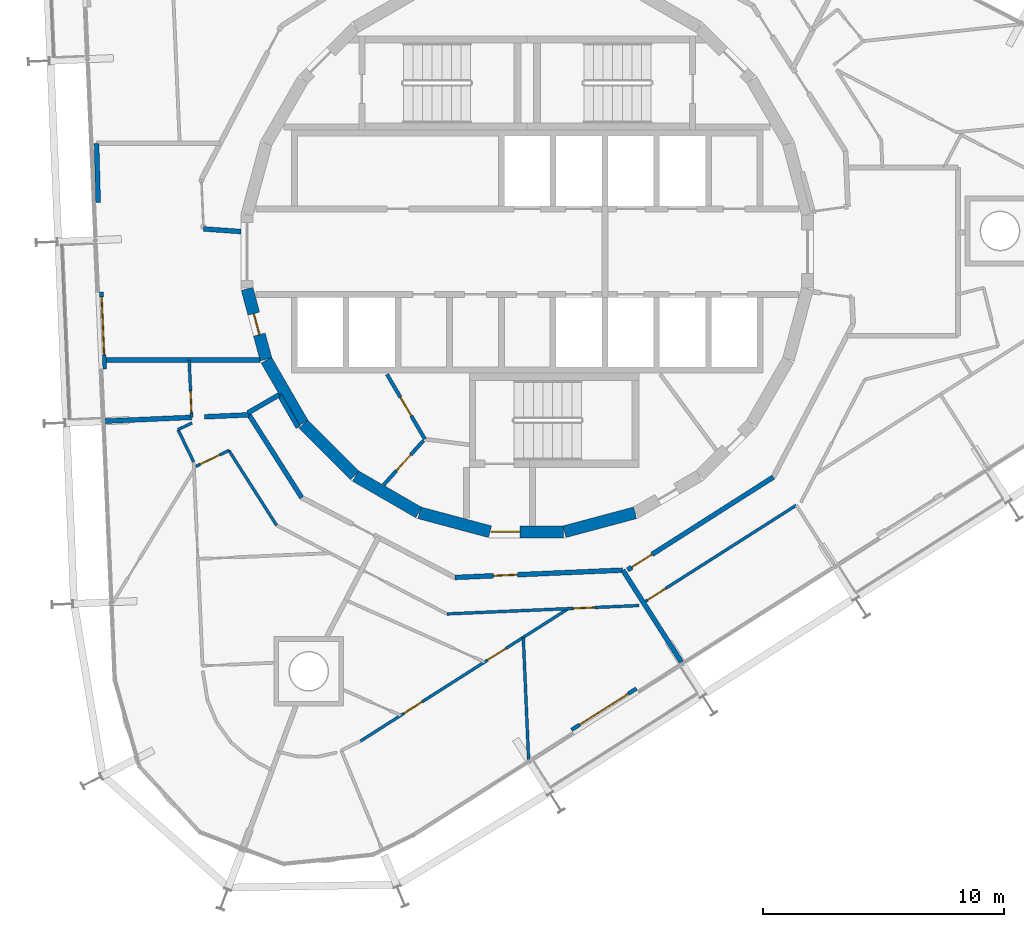
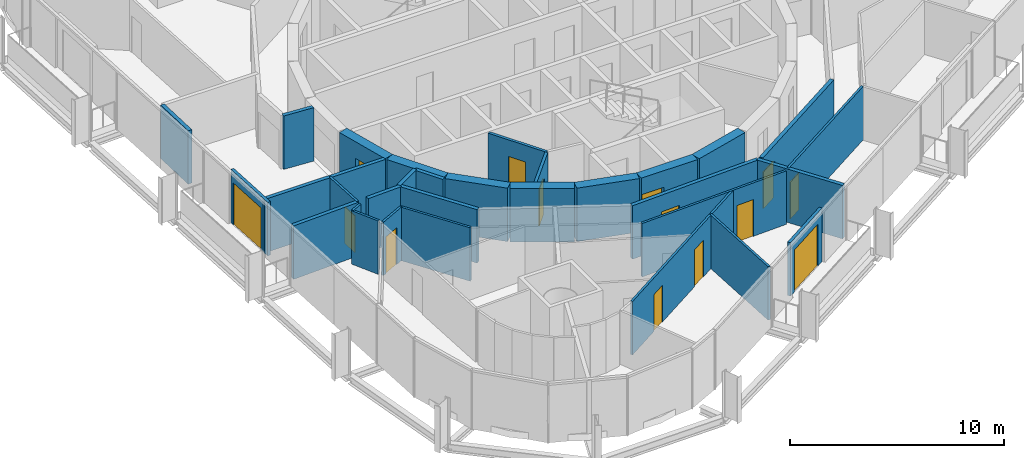
# One storey, part 12 of 18: 31 walls, 14 doors, 14 openings.
"""IFC4 building model written with IfcOpenShell, lengths in metres."""

from ifc_helpers import new_model, si_unit, direction, frame, frame_2d, origin, place, context, subcontext, project, spatial, rectangle, extrude, material, layer, layer_set, type_object, element, fill, save


model = new_model("IFC4")

# Units and contexts
model_context = context("Model", 3, precision=1e-05, world=origin(), true_north=direction((0.0, 1.0)))
body_context = subcontext(model_context, "Body", "Model", "MODEL_VIEW")
ifc_project = project(units=[si_unit("LENGTHUNIT", "METRE"), si_unit("AREAUNIT", "SQUARE_METRE"), si_unit("VOLUMEUNIT", "CUBIC_METRE"), si_unit("PLANEANGLEUNIT", "RADIAN"), si_unit("MASSUNIT", "GRAM", prefix="KILO")], contexts=[model_context])

# Site, building, storey
site_placement = place(None, origin())
site = spatial("IfcSite", under=ifc_project, at=site_placement, CompositionType="ELEMENT")
building_placement = place(site_placement, origin())
building = spatial("IfcBuilding", under=site, at=building_placement, Name="Spindle Arch Residences", CompositionType="ELEMENT")
storey_placement = place(building_placement, frame((0.0, 0.0, 254.699951171875)))
storey = spatial("IfcBuildingStorey", under=building, at=storey_placement, Name="L65", CompositionType="ELEMENT", Elevation=254.699951171875)

# Wall
ifc_material_1 = material(Name="Concrete C50/60", Category="concrete")
ifc_layer_1 = layer(ifc_material_1, 0.5)
ifc_layer_set_1 = layer_set([ifc_layer_1], Name="Core outline wall 500")
wall_type_1 = type_object("IfcWallType", Name="Core outline wall 500", PredefinedType="SHEAR", material=ifc_layer_set_1)
wall_1_placement = place(storey_placement, frame((1.5498046875, -11.642822265625, 0.0), z_axis=(0.0, 0.0, 1.0), x_axis=(0.965948410781, 0.258734743916, 0.0)))
element("IfcWall", 1, at=wall_1_placement, inside=storey, type_object=wall_type_1, Name="Core outline wall 1", PredefinedType="SHEAR", context=body_context, shape_type="SweptSolid", body=[
    extrude(rectangle(XDim=3.03271484375, YDim=0.5, at=frame_2d((1.516357421875, 0.0))), origin(), (0.0, 0.0, 1.0), 3.050048828125),
])

# Wall, opening, door
wall_2_placement = place(storey_placement, frame((-11.642822265625, -1.5498046875, 0.0), z_axis=(0.0, 0.0, 1.0), x_axis=(0.258734743916, -0.965948410781, 0.0)))
wall_2 = element("IfcWall", 2, at=wall_2_placement, inside=storey, type_object=wall_type_1, Name="Core outline wall 19", PredefinedType="SHEAR", context=body_context, shape_type="SweptSolid", body=[
    extrude(rectangle(XDim=3.03271484375, YDim=0.5, at=frame_2d((1.516357421875, 0.0))), origin(), (0.0, 0.0, 1.0), 3.050048828125),
])
opening_1_placement = place(wall_2_placement, frame((1.06640625, 0.0, 0.0)))
opening_1 = element("IfcOpeningElement", 3, at=opening_1_placement, cuts=wall_2, Name="Opening R6C0-WD10", PredefinedType="OPENING", context=body_context, shape_type="SweptSolid", body=[
    extrude(rectangle(XDim=0.89990234375, YDim=2.10009765625, at=frame_2d((0.449951171875, 1.050048828125))), frame((0.0, 0.260009765625, 0.0), z_axis=(0.0, -1.0, 0.0), x_axis=(1.0, 0.0, 0.0)), (0.0, 0.0, 1.0), 0.52001953125),
])
ifc_material_2 = material(Name="Steel, fire-resisting door", Category="steel")
door_type_1 = type_object("IfcDoorType", Name="Service room door 900x2100", OperationType="SINGLE_SWING_LEFT", PredefinedType="DOOR", material=ifc_material_2)
door_1_placement = place(opening_1_placement, origin())
door_1 = element("IfcDoor", 4, at=door_1_placement, inside=storey, type_object=door_type_1, Name="Service room door R6C0-WD10", OperationType="SINGLE_SWING_RIGHT", OverallHeight=2.10009765625, OverallWidth=0.89990234375, PredefinedType="DOOR", context=body_context, shape_type="SweptSolid", body=[
    extrude(rectangle(XDim=0.89990234375, YDim=2.10009765625, at=frame_2d((0.449951171875, 1.050048828125))), frame((0.0, 0.02490234375, 0.0), z_axis=(0.0, -1.0, 0.0), x_axis=(1.0, 0.0, 0.0)), (0.0, 0.0, 1.0), 0.050048828125),
])
fill(opening_1, door_1)

# Walls
wall_3_placement = place(storey_placement, frame((-10.84521484375, -4.510498046875, 0.0), z_axis=(0.0, 0.0, 1.0), x_axis=(0.500087131594, -0.865975092491, 0.0)))
element("IfcWall", 5, at=wall_3_placement, inside=storey, type_object=wall_type_1, Name="Core outline wall 20", PredefinedType="SHEAR", context=body_context, shape_type="SweptSolid", body=[
    extrude(rectangle(XDim=3.03271484375, YDim=0.5, at=frame_2d((1.516357421875, 0.0))), origin(), (0.0, 0.0, 1.0), 3.050048828125),
])
wall_4_placement = place(storey_placement, frame((-9.30810546875, -7.163818359375, 0.0), z_axis=(0.0, 0.0, 1.0), x_axis=(0.707106781187, -0.707106781187, 0.0)))
element("IfcWall", 6, at=wall_4_placement, inside=storey, type_object=wall_type_1, Name="Core outline wall 21", PredefinedType="SHEAR", context=body_context, shape_type="SweptSolid", body=[
    extrude(rectangle(XDim=3.032470703125, YDim=0.5, at=frame_2d((1.51611328125, 0.0))), origin(), (0.0, 0.0, 1.0), 3.050048828125),
])
for number, where, z_axis, x_axis, name in (
    (7, (-7.13671875, -9.32861328125, 0.0), (0.0, 0.0, 1.0), (0.865975092491, -0.500087131594, 0.0), "Core outline wall 22"),
    (8, (-4.479248046875, -10.858154296875, 0.0), (0.0, 0.0, 1.0), (0.965948410781, -0.258734743916, 0.0), "Core outline wall 23"),
):
    element("IfcWall", number, at=place(storey_placement, frame(where, z_axis=z_axis, x_axis=x_axis)), inside=storey, type_object=wall_type_1, Name=name, PredefinedType="SHEAR", context=body_context, shape_type="SweptSolid", body=[
        extrude(rectangle(XDim=3.03271484375, YDim=0.5, at=frame_2d((1.516357421875, 0.0))), origin(), (0.0, 0.0, 1.0), 3.050048828125),
    ])

# Wall, opening, door
wall_5_placement = place(storey_placement, frame((-1.516357421875, -11.647216796875, 0.0), z_axis=(0.0, 0.0, 1.0), x_axis=(1.0, 0.0, 0.0)))
wall_5 = element("IfcWall", 9, at=wall_5_placement, inside=storey, type_object=wall_type_1, Name="Core outline wall 24", PredefinedType="SHEAR", context=body_context, shape_type="SweptSolid", body=[
    extrude(rectangle(XDim=3.03271484375, YDim=0.5, at=frame_2d((1.516357421875, 0.0))), origin(), (0.0, 0.0, 1.0), 3.050048828125),
])
opening_2_placement = place(wall_5_placement, frame((0.016357421875, 0.0, 0.0)))
opening_2 = element("IfcOpeningElement", 10, at=opening_2_placement, cuts=wall_5, Name="Opening R6C0-AD03", PredefinedType="OPENING", context=body_context, shape_type="SweptSolid", body=[
    extrude(rectangle(XDim=1.199951171875, YDim=2.10009765625, at=frame_2d((0.60009765625, 1.050048828125))), frame((0.0, 0.260009765625, 0.0), z_axis=(0.0, -1.0, 0.0), x_axis=(1.0, 0.0, 0.0)), (0.0, 0.0, 1.0), 0.52001953125),
])
ifc_material_3 = material(Name="Steel, fire-resisting door", Category="steel")
door_type_2 = type_object("IfcDoorType", Name="Stair airlock door 1200x2100", OperationType="SINGLE_SWING_LEFT", PredefinedType="DOOR", material=ifc_material_3)
door_2_placement = place(opening_2_placement, origin())
door_2 = element("IfcDoor", 11, at=door_2_placement, inside=storey, type_object=door_type_2, Name="Stair airlock door R6C0-AD03", OperationType="SINGLE_SWING_RIGHT", OverallHeight=2.10009765625, OverallWidth=1.199951171875, PredefinedType="DOOR", context=body_context, shape_type="SweptSolid", body=[
    extrude(rectangle(XDim=1.199951171875, YDim=2.10009765625, at=frame_2d((0.60009765625, 1.050048828125))), frame((0.0, 0.02490234375, 0.0), z_axis=(0.0, -1.0, 0.0), x_axis=(1.0, 0.0, 0.0)), (0.0, 0.0, 1.0), 0.050048828125),
])
fill(opening_2, door_2)

# Walls
ifc_material_4 = material(Name="Calcium silicate block, plastered")
ifc_layer_2 = layer(ifc_material_4, 0.199951171875)
ifc_layer_set_2 = layer_set([ifc_layer_2], Name="Corridor wall 200")
wall_type_2 = type_object("IfcWallType", Name="Corridor wall 200", PredefinedType="STANDARD", material=ifc_layer_set_2)
wall_6_placement = place(storey_placement, frame((-10.303466796875, -5.94873046875, 0.0), z_axis=(0.0, 0.0, 1.0), x_axis=(-0.866043382451, -0.499968858743, 0.0)))
element("IfcWall", 12, at=wall_6_placement, inside=storey, type_object=wall_type_2, Name="Corridor wall R6C0-W016", PredefinedType="STANDARD", context=body_context, shape_type="SweptSolid", body=[
    extrude(rectangle(XDim=1.51513671875, YDim=0.199951171875, at=frame_2d((0.757568359375, 0.0))), origin(), (0.0, 0.0, 1.0), 3.050048828125),
])
wall_7_placement = place(storey_placement, frame((-9.520263671875, -7.30517578125, 0.0), z_axis=(0.0, 0.0, 1.0), x_axis=(-0.500028278809, 0.866009076391, 0.0)))
element("IfcWall", 13, at=wall_7_placement, inside=storey, type_object=wall_type_2, Name="Corridor wall R6C0-W017", PredefinedType="STANDARD", context=body_context, shape_type="SweptSolid", body=[
    extrude(rectangle(XDim=1.56640625, YDim=0.199951171875, at=frame_2d((0.783203125, 0.0))), origin(), (0.0, 0.0, 1.0), 3.050048828125),
])
wall_8_placement = place(storey_placement, frame((-11.565185546875, -6.785888671875, 0.0), z_axis=(0.0, 0.0, 1.0), x_axis=(0.537297327359, -0.843392898958, 0.0)))
element("IfcWall", 14, at=wall_8_placement, inside=storey, type_object=wall_type_2, Name="Corridor wall R6C0-W018", PredefinedType="STANDARD", context=body_context, shape_type="SweptSolid", body=[
    extrude(rectangle(XDim=4.081298828125, YDim=0.199951171875, at=frame_2d((2.04052734375, 0.0))), origin(), (0.0, 0.0, 1.0), 3.050048828125),
])

# Wall, opening, door
wall_9_placement = place(storey_placement, frame((-3.002685546875, -13.5439453125, 0.0), z_axis=(0.0, 0.0, 1.0), x_axis=(0.999048221872, 0.043619380718, 0.0)))
wall_9 = element("IfcWall", 15, at=wall_9_placement, inside=storey, type_object=wall_type_2, Name="Corridor wall R6C0-W020", PredefinedType="STANDARD", context=body_context, shape_type="SweptSolid", body=[
    extrude(rectangle(XDim=6.9794921875, YDim=0.199951171875, at=frame_2d((3.48974609375, 0.0))), origin(), (0.0, 0.0, 1.0), 3.050048828125),
])
opening_3_placement = place(wall_9_placement, frame((1.60009765625, 0.0, 0.0)))
opening_3 = element("IfcOpeningElement", 16, at=opening_3_placement, cuts=wall_9, Name="Opening R6C0-FD05", PredefinedType="OPENING", context=body_context, shape_type="SweptSolid", body=[
    extrude(rectangle(XDim=1.0, YDim=2.10009765625, at=frame_2d((0.5, 1.050048828125))), frame((0.0, 0.10986328125, 0.0), z_axis=(0.0, -1.0, 0.0), x_axis=(1.0, 0.0, 0.0)), (0.0, 0.0, 1.0), 0.219970703125),
])
ifc_material_5 = material(Name="Timber, fire-resisting door set", Category="wood")
door_type_3 = type_object("IfcDoorType", Name="Flat entrance door 1000x2100", OperationType="NOTDEFINED", PredefinedType="DOOR", material=ifc_material_5)
door_3_placement = place(opening_3_placement, origin())
door_3 = element("IfcDoor", 17, at=door_3_placement, inside=storey, type_object=door_type_3, Name="Flat entrance door R6C0-FD05", OperationType="SINGLE_SWING_LEFT", OverallHeight=2.10009765625, OverallWidth=1.0, PredefinedType="DOOR", context=body_context, shape_type="SweptSolid", body=[
    extrude(rectangle(XDim=1.0, YDim=2.10009765625, at=frame_2d((0.5, 1.050048828125))), frame((0.0, 0.02490234375, 0.0), z_axis=(0.0, -1.0, 0.0), x_axis=(1.0, 0.0, 0.0)), (0.0, 0.0, 1.0), 0.050048828125),
])
fill(opening_3, door_3)

wall_10_placement = place(storey_placement, frame((4.171630859375, -13.230712890625, 0.0), z_axis=(0.0, 0.0, 1.0), x_axis=(0.843388394728, 0.537304397561, 0.0)))
wall_10 = element("IfcWall", 18, at=wall_10_placement, inside=storey, type_object=wall_type_2, Name="Corridor wall R6C0-W021", PredefinedType="STANDARD", context=body_context, shape_type="SweptSolid", body=[
    extrude(rectangle(XDim=7.180908203125, YDim=0.199951171875, at=frame_2d((3.59033203125, 0.0))), origin(), (0.0, 0.0, 1.0), 3.050048828125),
])
opening_4_placement = place(wall_10_placement, frame((0.199951171875, 0.0, 0.0)))
opening_4 = element("IfcOpeningElement", 19, at=opening_4_placement, cuts=wall_10, Name="Opening R6C0-FD06", PredefinedType="OPENING", context=body_context, shape_type="SweptSolid", body=[
    extrude(rectangle(XDim=1.0, YDim=2.10009765625, at=frame_2d((0.5, 1.050048828125))), frame((0.0, 0.10986328125, 0.0), z_axis=(0.0, -1.0, 0.0), x_axis=(1.0, 0.0, 0.0)), (0.0, 0.0, 1.0), 0.219970703125),
])
door_4_placement = place(opening_4_placement, origin())
door_4 = element("IfcDoor", 20, at=door_4_placement, inside=storey, type_object=door_type_3, Name="Flat entrance door R6C0-FD06", OperationType="SINGLE_SWING_LEFT", OverallHeight=2.10009765625, OverallWidth=1.0, PredefinedType="DOOR", context=body_context, shape_type="SweptSolid", body=[
    extrude(rectangle(XDim=1.0, YDim=2.10009765625, at=frame_2d((0.5, 1.050048828125))), frame((0.0, 0.02490234375, 0.0), z_axis=(0.0, -1.0, 0.0), x_axis=(1.0, 0.0, 0.0)), (0.0, 0.0, 1.0), 0.050048828125),
])
fill(opening_4, door_4)

ifc_material_6 = material(Name="Plasterboard on steel studs", Category="steel")
ifc_layer_3 = layer(ifc_material_6, 0.1201171875)
ifc_layer_set_3 = layer_set([ifc_layer_3], Name="Flat partition 120")
wall_type_3 = type_object("IfcWallType", Name="Flat partition 120", PredefinedType="PARTITIONING", material=ifc_layer_set_3)
wall_11_placement = place(storey_placement, frame((-13.947021484375, -6.889892578125, 0.0), z_axis=(0.0, 0.0, 1.0), x_axis=(-0.043680814195, 0.999045537737, 0.0)))
wall_11 = element("IfcWall", 21, at=wall_11_placement, inside=storey, type_object=wall_type_3, Name="Flat partition R6C0-W083", PredefinedType="PARTITIONING", context=body_context, shape_type="SweptSolid", body=[
    extrude(rectangle(XDim=2.39208984375, YDim=0.1201171875, at=frame_2d((1.196044921875, 0.0))), origin(), (0.0, 0.0, 1.0), 3.050048828125),
])
opening_5_placement = place(wall_11_placement, frame((0.199951171875, 0.0, 0.0)))
opening_5 = element("IfcOpeningElement", 22, at=opening_5_placement, cuts=wall_11, Name="Opening R6C0-ID14", PredefinedType="OPENING", context=body_context, shape_type="SweptSolid", body=[
    extrude(rectangle(XDim=0.89990234375, YDim=2.10009765625, at=frame_2d((0.449951171875, 1.050048828125))), frame((0.0, 0.070068359375, 0.0), z_axis=(0.0, -1.0, 0.0), x_axis=(1.0, 0.0, 0.0)), (0.0, 0.0, 1.0), 0.14013671875),
])
ifc_material_7 = material(Name="Timber door set", Category="wood")
door_type_4 = type_object("IfcDoorType", Name="Room door 900x2100", OperationType="NOTDEFINED", PredefinedType="DOOR", material=ifc_material_7)
door_5_placement = place(opening_5_placement, origin())
door_5 = element("IfcDoor", 23, at=door_5_placement, inside=storey, type_object=door_type_4, Name="Room door R6C0-ID14", OperationType="SINGLE_SWING_LEFT", OverallHeight=2.10009765625, OverallWidth=0.89990234375, PredefinedType="DOOR", context=body_context, shape_type="SweptSolid", body=[
    extrude(rectangle(XDim=0.89990234375, YDim=2.10009765625, at=frame_2d((0.449951171875, 1.050048828125))), frame((0.0, 0.02490234375, 0.0), z_axis=(0.0, -1.0, 0.0), x_axis=(1.0, 0.0, 0.0)), (0.0, 0.0, 1.0), 0.050048828125),
])
fill(opening_5, door_5)

# Walls
wall_12_placement = place(storey_placement, frame((-13.93701171875, -7.12060546875, 0.0), z_axis=(0.0, 0.0, 1.0), x_axis=(-0.899601864835, -0.436710985418, 0.0)))
element("IfcWall", 24, at=wall_12_placement, inside=storey, type_object=wall_type_3, Name="Flat partition R6C0-W084", PredefinedType="PARTITIONING", context=body_context, shape_type="SweptSolid", body=[
    extrude(rectangle(XDim=0.6435546875, YDim=0.1201171875, at=frame_2d((0.32177734375, 0.0))), origin(), (0.0, 0.0, 1.0), 3.050048828125),
])
wall_13_placement = place(storey_placement, frame((-14.515869140625, -7.401611328125, 0.0), z_axis=(0.0, 0.0, 1.0), x_axis=(0.436676244377, -0.899618729016, 0.0)))
element("IfcWall", 25, at=wall_13_placement, inside=storey, type_object=wall_type_3, Name="Flat partition R6C0-W085", PredefinedType="PARTITIONING", context=body_context, shape_type="SweptSolid", body=[
    extrude(rectangle(XDim=1.487060546875, YDim=0.1201171875, at=frame_2d((0.74365234375, 0.0))), origin(), (0.0, 0.0, 1.0), 3.050048828125),
])

# Wall, opening, door
wall_14_placement = place(storey_placement, frame((-13.7734375, -8.930908203125, 0.0), z_axis=(0.0, 0.0, 1.0), x_axis=(0.899585443678, 0.436744810527, 0.0)))
wall_14 = element("IfcWall", 26, at=wall_14_placement, inside=storey, type_object=wall_type_3, Name="Flat partition R6C0-W086", PredefinedType="PARTITIONING", context=body_context, shape_type="SweptSolid", body=[
    extrude(rectangle(XDim=1.52490234375, YDim=0.1201171875, at=frame_2d((0.762451171875, 0.0))), origin(), (0.0, 0.0, 1.0), 3.050048828125),
])
opening_6_placement = place(wall_14_placement, frame((0.199951171875, 0.0, 0.0)))
opening_6 = element("IfcOpeningElement", 27, at=opening_6_placement, cuts=wall_14, Name="Opening R6C0-ID15", PredefinedType="OPENING", context=body_context, shape_type="SweptSolid", body=[
    extrude(rectangle(XDim=0.89990234375, YDim=2.10009765625, at=frame_2d((0.449951171875, 1.050048828125))), frame((0.0, 0.070068359375, 0.0), z_axis=(0.0, -1.0, 0.0), x_axis=(1.0, 0.0, 0.0)), (0.0, 0.0, 1.0), 0.14013671875),
])
door_6_placement = place(opening_6_placement, origin())
door_6 = element("IfcDoor", 28, at=door_6_placement, inside=storey, type_object=door_type_4, Name="Room door R6C0-ID15", OperationType="SINGLE_SWING_LEFT", OverallHeight=2.10009765625, OverallWidth=0.89990234375, PredefinedType="DOOR", context=body_context, shape_type="SweptSolid", body=[
    extrude(rectangle(XDim=0.89990234375, YDim=2.10009765625, at=frame_2d((0.449951171875, 1.050048828125))), frame((0.0, 0.02490234375, 0.0), z_axis=(0.0, -1.0, 0.0), x_axis=(1.0, 0.0, 0.0)), (0.0, 0.0, 1.0), 0.050048828125),
])
fill(opening_6, door_6)

# Wall
wall_15_placement = place(storey_placement, frame((-12.401611328125, -8.264892578125, 0.0), z_axis=(0.0, 0.0, 1.0), x_axis=(0.537321213777, -0.843377681247, 0.0)))
element("IfcWall", 29, at=wall_15_placement, inside=storey, type_object=wall_type_3, Name="Flat partition R6C0-W087", PredefinedType="PARTITIONING", context=body_context, shape_type="SweptSolid", body=[
    extrude(rectangle(XDim=3.685302734375, YDim=0.1201171875, at=frame_2d((1.8427734375, 0.0))), origin(), (0.0, 0.0, 1.0), 3.050048828125),
])

# Wall, opening, door
wall_16_placement = place(storey_placement, frame((-3.338623046875, -15.06005859375, 0.0), z_axis=(0.0, 0.0, 1.0), x_axis=(0.999047716945, 0.043630943905, 0.0)))
wall_16 = element("IfcWall", 30, at=wall_16_placement, inside=storey, type_object=wall_type_3, Name="Flat partition R6C0-W098", PredefinedType="PARTITIONING", context=body_context, shape_type="SweptSolid", body=[
    extrude(rectangle(XDim=7.98486328125, YDim=0.1201171875, at=frame_2d((3.992431640625, 0.0))), origin(), (0.0, 0.0, 1.0), 3.050048828125),
])
opening_7_placement = place(wall_16_placement, frame((5.25341796875, 0.0, 0.0)))
opening_7 = element("IfcOpeningElement", 31, at=opening_7_placement, cuts=wall_16, Name="Opening R6C0-ID20", PredefinedType="OPENING", context=body_context, shape_type="SweptSolid", body=[
    extrude(rectangle(XDim=0.89990234375, YDim=2.10009765625, at=frame_2d((0.449951171875, 1.050048828125))), frame((0.0, 0.070068359375, 0.0), z_axis=(0.0, -1.0, 0.0), x_axis=(1.0, 0.0, 0.0)), (0.0, 0.0, 1.0), 0.14013671875),
])
door_7_placement = place(opening_7_placement, origin())
door_7 = element("IfcDoor", 32, at=door_7_placement, inside=storey, type_object=door_type_4, Name="Room door R6C0-ID20", OperationType="SINGLE_SWING_LEFT", OverallHeight=2.10009765625, OverallWidth=0.89990234375, PredefinedType="DOOR", context=body_context, shape_type="SweptSolid", body=[
    extrude(rectangle(XDim=0.89990234375, YDim=2.10009765625, at=frame_2d((0.449951171875, 1.050048828125))), frame((0.0, 0.02490234375, 0.0), z_axis=(0.0, -1.0, 0.0), x_axis=(1.0, 0.0, 0.0)), (0.0, 0.0, 1.0), 0.050048828125),
])
fill(opening_7, door_7)

# Wall, openings, doors
wall_17_placement = place(storey_placement, frame((-6.931640625, -20.344970703125, 0.0), z_axis=(0.0, 0.0, 1.0), x_axis=(0.843388627156, 0.537304032726, 0.0)))
wall_17 = element("IfcWall", 33, at=wall_17_placement, inside=storey, type_object=wall_type_3, Name="Flat partition R6C0-W104", PredefinedType="PARTITIONING", context=body_context, shape_type="SweptSolid", body=[
    extrude(rectangle(XDim=10.246337890625, YDim=0.1201171875, at=frame_2d((5.123046875, 0.0))), origin(), (0.0, 0.0, 1.0), 3.050048828125),
])
opening_8_placement = place(wall_17_placement, frame((2.138427734375, 0.0, 0.0)))
opening_8 = element("IfcOpeningElement", 34, at=opening_8_placement, cuts=wall_17, Name="Opening R6C0-ID22", PredefinedType="OPENING", context=body_context, shape_type="SweptSolid", body=[
    extrude(rectangle(XDim=0.89990234375, YDim=2.10009765625, at=frame_2d((0.449951171875, 1.050048828125))), frame((0.0, 0.070068359375, 0.0), z_axis=(0.0, -1.0, 0.0), x_axis=(1.0, 0.0, 0.0)), (0.0, 0.0, 1.0), 0.14013671875),
])
opening_9_placement = place(wall_17_placement, frame((6.268310546875, 0.0, 0.0)))
opening_9 = element("IfcOpeningElement", 35, at=opening_9_placement, cuts=wall_17, Name="Opening R6C0-ID24", PredefinedType="OPENING", context=body_context, shape_type="SweptSolid", body=[
    extrude(rectangle(XDim=0.89990234375, YDim=2.10009765625, at=frame_2d((0.449951171875, 1.050048828125))), frame((0.0, 0.070068359375, 0.0), z_axis=(0.0, -1.0, 0.0), x_axis=(1.0, 0.0, 0.0)), (0.0, 0.0, 1.0), 0.14013671875),
])
door_8_placement = place(opening_8_placement, origin())
door_8 = element("IfcDoor", 36, at=door_8_placement, inside=storey, type_object=door_type_4, Name="Room door R6C0-ID22", OperationType="SINGLE_SWING_LEFT", OverallHeight=2.10009765625, OverallWidth=0.89990234375, PredefinedType="DOOR", context=body_context, shape_type="SweptSolid", body=[
    extrude(rectangle(XDim=0.89990234375, YDim=2.10009765625, at=frame_2d((0.449951171875, 1.050048828125))), frame((0.0, 0.02490234375, 0.0), z_axis=(0.0, -1.0, 0.0), x_axis=(1.0, 0.0, 0.0)), (0.0, 0.0, 1.0), 0.050048828125),
])
fill(opening_8, door_8)
door_9_placement = place(opening_9_placement, origin())
door_9 = element("IfcDoor", 37, at=door_9_placement, inside=storey, type_object=door_type_4, Name="Room door R6C0-ID24", OperationType="SINGLE_SWING_RIGHT", OverallHeight=2.10009765625, OverallWidth=0.89990234375, PredefinedType="DOOR", context=body_context, shape_type="SweptSolid", body=[
    extrude(rectangle(XDim=0.89990234375, YDim=2.10009765625, at=frame_2d((0.449951171875, 1.050048828125))), frame((0.0, 0.02490234375, 0.0), z_axis=(0.0, -1.0, 0.0), x_axis=(1.0, 0.0, 0.0)), (0.0, 0.0, 1.0), 0.050048828125),
])
fill(opening_9, door_9)

# Wall
wall_18_placement = place(storey_placement, frame((0.05615234375, -21.110107421875, 0.0), z_axis=(0.0, 0.0, 1.0), x_axis=(-0.043583193193, 0.999049801197, 0.0)))
element("IfcWall", 38, at=wall_18_placement, inside=storey, type_object=wall_type_3, Name="Flat partition R6C0-W107", PredefinedType="PARTITIONING", context=body_context, shape_type="SweptSolid", body=[
    extrude(rectangle(XDim=5.080810546875, YDim=0.1201171875, at=frame_2d((2.54052734375, 0.0))), origin(), (0.0, 0.0, 1.0), 3.050048828125),
])

# Wall, opening, door
wall_19_placement = place(storey_placement, frame((4.830322265625, -14.589599609375, 0.0), z_axis=(0.0, 0.0, 1.0), x_axis=(0.843393042763, 0.537297101629, 0.0)))
wall_19 = element("IfcWall", 39, at=wall_19_placement, inside=storey, type_object=wall_type_3, Name="Flat partition R6C0-W108", PredefinedType="PARTITIONING", context=body_context, shape_type="SweptSolid", body=[
    extrude(rectangle(XDim=7.530029296875, YDim=0.1201171875, at=frame_2d((3.76513671875, 0.0))), origin(), (0.0, 0.0, 1.0), 3.050048828125),
])
opening_10_placement = place(wall_19_placement, frame((0.199951171875, 0.0, 0.0)))
opening_10 = element("IfcOpeningElement", 40, at=opening_10_placement, cuts=wall_19, Name="Opening R6C0-ID25", PredefinedType="OPENING", context=body_context, shape_type="SweptSolid", body=[
    extrude(rectangle(XDim=0.89990234375, YDim=2.10009765625, at=frame_2d((0.449951171875, 1.050048828125))), frame((0.0, 0.070068359375, 0.0), z_axis=(0.0, -1.0, 0.0), x_axis=(1.0, 0.0, 0.0)), (0.0, 0.0, 1.0), 0.14013671875),
])
door_10_placement = place(opening_10_placement, origin())
door_10 = element("IfcDoor", 41, at=door_10_placement, inside=storey, type_object=door_type_4, Name="Room door R6C0-ID25", OperationType="SINGLE_SWING_LEFT", OverallHeight=2.10009765625, OverallWidth=0.89990234375, PredefinedType="DOOR", context=body_context, shape_type="SweptSolid", body=[
    extrude(rectangle(XDim=0.89990234375, YDim=2.10009765625, at=frame_2d((0.449951171875, 1.050048828125))), frame((0.0, 0.02490234375, 0.0), z_axis=(0.0, -1.0, 0.0), x_axis=(1.0, 0.0, 0.0)), (0.0, 0.0, 1.0), 0.050048828125),
])
fill(opening_10, door_10)

# Walls
ifc_material_8 = material(Name="Calcium silicate block, plastered")
ifc_layer_4 = layer(ifc_material_8, 0.199951171875)
ifc_layer_set_4 = layer_set([ifc_layer_4], Name="Flat party wall 200")
wall_type_4 = type_object("IfcWallType", Name="Flat party wall 200", PredefinedType="STANDARD", material=ifc_layer_set_4)
wall_20_placement = place(storey_placement, frame((-17.543701171875, -7.047119140625, 0.0), z_axis=(0.0, 0.0, 1.0), x_axis=(0.999045894436, 0.043672655174, 0.0)))
element("IfcWall", 42, at=wall_20_placement, inside=storey, type_object=wall_type_4, Name="Flat party wall R6C0-W035", PredefinedType="STANDARD", context=body_context, shape_type="SweptSolid", body=[
    extrude(rectangle(XDim=3.60009765625, YDim=0.199951171875, at=frame_2d((1.800048828125, 0.0))), origin(), (0.0, 0.0, 1.0), 3.050048828125),
])
wall_21_placement = place(storey_placement, frame((-13.414306640625, -6.86669921875, 0.0), z_axis=(0.0, 0.0, 1.0), x_axis=(0.999046427216, 0.043660465726, 0.0)))
element("IfcWall", 43, at=wall_21_placement, inside=storey, type_object=wall_type_4, Name="Flat party wall R6C0-W036", PredefinedType="STANDARD", context=body_context, shape_type="SweptSolid", body=[
    extrude(rectangle(XDim=1.850830078125, YDim=0.199951171875, at=frame_2d((0.92529296875, 0.0))), origin(), (0.0, 0.0, 1.0), 3.050048828125),
])
wall_22_placement = place(storey_placement, frame((6.406982421875, -17.064208984375, 0.0), z_axis=(0.0, 0.0, 1.0), x_axis=(-0.537324777979, 0.843375410461, 0.0)))
element("IfcWall", 44, at=wall_22_placement, inside=storey, type_object=wall_type_4, Name="Flat party wall R6C0-W041", PredefinedType="STANDARD", context=body_context, shape_type="SweptSolid", body=[
    extrude(rectangle(XDim=4.534912109375, YDim=0.199951171875, at=frame_2d((2.267578125, 0.0))), origin(), (0.0, 0.0, 1.0), 3.050048828125),
])

# Wall, opening, door
ifc_material_9 = material(Name="Non-combustible mineral wool insulated aluminium faced external wall (K0)", Category="aluminium")
ifc_layer_5 = layer(ifc_material_9, 0.159912109375)
ifc_layer_set_5 = layer_set([ifc_layer_5], Name="Insulated external wall panel 160")
wall_type_5 = type_object("IfcWallType", Name="Insulated external wall panel 160", PredefinedType="STANDARD", material=ifc_layer_set_5)
wall_23_placement = place(storey_placement, frame((-17.69775390625, -1.68359375, 0.0), z_axis=(0.0, 0.0, 1.0), x_axis=(0.043639181999, -0.999047357133, 0.0)))
wall_23 = element("IfcWall", 45, at=wall_23_placement, inside=storey, type_object=wall_type_5, Name="External wall L65 bay 15", PredefinedType="STANDARD", context=body_context, shape_type="SweptSolid", body=[
    extrude(rectangle(XDim=3.199951171875, YDim=0.159912109375, at=frame_2d((1.60009765625, 0.0))), origin(), (0.0, 0.0, 1.0), 3.050048828125),
])
opening_11_placement = place(wall_23_placement, frame((0.199951171875, 0.0, 0.0)))
opening_11 = element("IfcOpeningElement", 46, at=opening_11_placement, cuts=wall_23, Name="Opening BD15", PredefinedType="OPENING", context=body_context, shape_type="SweptSolid", body=[
    extrude(rectangle(XDim=2.39990234375, YDim=2.39990234375, at=frame_2d((1.199951171875, 1.199951171875))), frame((0.0, 0.08984375, 0.0), z_axis=(0.0, -1.0, 0.0), x_axis=(1.0, 0.0, 0.0)), (0.0, 0.0, 1.0), 0.179931640625),
])
ifc_material_10 = material(Name="Bronze aluminium frame, tinted double glazing", Category="aluminium")
door_type_5 = type_object("IfcDoorType", Name="Sliding glazed balcony door 2400x2400", OperationType="DOUBLE_DOOR_SLIDING", PredefinedType="DOOR", material=ifc_material_10)
door_11_placement = place(opening_11_placement, origin())
door_11 = element("IfcDoor", 47, at=door_11_placement, inside=storey, type_object=door_type_5, Name="Balcony door BD15", OperationType="DOUBLE_DOOR_SLIDING", OverallHeight=2.39990234375, OverallWidth=2.39990234375, PredefinedType="DOOR", context=body_context, shape_type="SweptSolid", body=[
    extrude(rectangle(XDim=2.39990234375, YDim=2.39990234375, at=frame_2d((1.199951171875, 1.199951171875))), frame((0.0, 0.02490234375, 0.0), z_axis=(0.0, -1.0, 0.0), x_axis=(1.0, 0.0, 0.0)), (0.0, 0.0, 1.0), 0.050048828125),
])
fill(opening_11, door_11)

wall_24_placement = place(storey_placement, frame((1.839111328125, -19.87939453125, 0.0), z_axis=(0.0, 0.0, 1.0), x_axis=(0.843419508298, 0.53725555653, 0.0)))
wall_24 = element("IfcWall", 48, at=wall_24_placement, inside=storey, type_object=wall_type_5, Name="External wall L65 bay 21", PredefinedType="STANDARD", context=body_context, shape_type="SweptSolid", body=[
    extrude(rectangle(XDim=3.199951171875, YDim=0.159912109375, at=frame_2d((1.60009765625, 0.0))), origin(), (0.0, 0.0, 1.0), 3.050048828125),
])
opening_12_placement = place(wall_24_placement, frame((0.39990234375, 0.0, 0.0)))
opening_12 = element("IfcOpeningElement", 49, at=opening_12_placement, cuts=wall_24, Name="Opening BD21", PredefinedType="OPENING", context=body_context, shape_type="SweptSolid", body=[
    extrude(rectangle(XDim=2.39990234375, YDim=2.39990234375, at=frame_2d((1.199951171875, 1.199951171875))), frame((0.0, 0.08984375, 0.0), z_axis=(0.0, -1.0, 0.0), x_axis=(1.0, 0.0, 0.0)), (0.0, 0.0, 1.0), 0.179931640625),
])
door_12_placement = place(opening_12_placement, origin())
door_12 = element("IfcDoor", 50, at=door_12_placement, inside=storey, type_object=door_type_5, Name="Balcony door BD21", OperationType="DOUBLE_DOOR_SLIDING", OverallHeight=2.39990234375, OverallWidth=2.39990234375, PredefinedType="DOOR", context=body_context, shape_type="SweptSolid", body=[
    extrude(rectangle(XDim=2.39990234375, YDim=2.39990234375, at=frame_2d((1.199951171875, 1.199951171875))), frame((0.0, 0.02490234375, 0.0), z_axis=(0.0, -1.0, 0.0), x_axis=(1.0, 0.0, 0.0)), (0.0, 0.0, 1.0), 0.050048828125),
])
fill(opening_12, door_12)

# Walls
ifc_material_11 = material(Name="Calcium silicate block, plastered")
ifc_layer_6 = layer(ifc_material_11, 0.199951171875)
ifc_layer_set_6 = layer_set([ifc_layer_6], Name="Lift lobby bay wall 200")
wall_type_6 = type_object("IfcWallType", Name="Lift lobby bay wall 200", PredefinedType="STANDARD", material=ifc_layer_set_6)
wall_25_placement = place(storey_placement, frame((-13.453857421875, 0.94091796875, 0.0), z_axis=(0.0, 0.0, 1.0), x_axis=(0.99755155062, -0.069934997354, 0.0)))
element("IfcWall", 51, at=wall_25_placement, inside=storey, type_object=wall_type_6, Name="Lift lobby bay wall R6C0-W009", PredefinedType="STANDARD", context=body_context, shape_type="SweptSolid", body=[
    extrude(rectangle(XDim=1.560546875, YDim=0.199951171875, at=frame_2d((0.7802734375, 0.0))), origin(), (0.0, 0.0, 1.0), 3.050048828125),
])
wall_26_placement = place(storey_placement, frame((-17.89990234375, 4.5, 0.0), z_axis=(0.0, 0.0, 1.0), x_axis=(0.027204178319, -0.999629897853, 0.0)))
element("IfcWall", 52, at=wall_26_placement, inside=storey, type_object=wall_type_6, Name="Lift lobby bay wall R6C0-W023", PredefinedType="STANDARD", context=body_context, shape_type="SweptSolid", body=[
    extrude(rectangle(XDim=2.468017578125, YDim=0.199951171875, at=frame_2d((1.23388671875, 0.0))), origin(), (0.0, 0.0, 1.0), 3.050048828125),
])
wall_27_placement = place(storey_placement, frame((-17.65478515625, -4.5, 0.0), z_axis=(0.0, 0.0, 1.0), x_axis=(1.0, 0.0, 0.0)))
element("IfcWall", 53, at=wall_27_placement, inside=storey, type_object=wall_type_6, Name="Lift lobby bay wall R6C0-W024", PredefinedType="STANDARD", context=body_context, shape_type="SweptSolid", body=[
    extrude(rectangle(XDim=6.54345703125, YDim=0.199951171875, at=frame_2d((3.271728515625, 0.0))), origin(), (0.0, 0.0, 1.0), 3.050048828125),
])

# Wall, opening, door
ifc_material_12 = material(Name="Concrete C25/30", Category="concrete")
ifc_layer_7 = layer(ifc_material_12, 0.14990234375)
ifc_layer_set_7 = layer_set([ifc_layer_7], Name="Service room partition 150")
wall_type_7 = type_object("IfcWallType", Name="Service room partition 150", PredefinedType="PARTITIONING", material=ifc_layer_set_7)
wall_28_placement = place(storey_placement, frame((-5.8291015625, -5.101806640625, 0.0), z_axis=(0.0, 0.0, 1.0), x_axis=(0.504480008384, -0.863423373057, 0.0)))
wall_28 = element("IfcWall", 54, at=wall_28_placement, inside=storey, type_object=wall_type_7, Name="Core service room partition", PredefinedType="PARTITIONING", context=body_context, shape_type="SweptSolid", body=[
    extrude(rectangle(XDim=3.115234375, YDim=0.14990234375, at=frame_2d((1.5576171875, 0.0))), origin(), (0.0, 0.0, 1.0), 3.050048828125),
])
opening_13_placement = place(wall_28_placement, frame((1.107421875, 0.0, 0.0)))
opening_13 = element("IfcOpeningElement", 55, at=opening_13_placement, cuts=wall_28, Name="Opening R6C0-WD07", PredefinedType="OPENING", context=body_context, shape_type="SweptSolid", body=[
    extrude(rectangle(XDim=0.89990234375, YDim=2.10009765625, at=frame_2d((0.449951171875, 1.050048828125))), frame((0.0, 0.0849609375, 0.0), z_axis=(0.0, -1.0, 0.0), x_axis=(1.0, 0.0, 0.0)), (0.0, 0.0, 1.0), 0.169921875),
])
door_13_placement = place(opening_13_placement, origin())
door_13 = element("IfcDoor", 56, at=door_13_placement, inside=storey, type_object=door_type_1, Name="Service room door R6C0-WD07", OperationType="SINGLE_SWING_LEFT", OverallHeight=2.10009765625, OverallWidth=0.89990234375, PredefinedType="DOOR", context=body_context, shape_type="SweptSolid", body=[
    extrude(rectangle(XDim=0.89990234375, YDim=2.10009765625, at=frame_2d((0.449951171875, 1.050048828125))), frame((0.0, 0.02490234375, 0.0), z_axis=(0.0, -1.0, 0.0), x_axis=(1.0, 0.0, 0.0)), (0.0, 0.0, 1.0), 0.050048828125),
])
fill(opening_13, door_13)

wall_29_placement = place(storey_placement, frame((-4.310791015625, -7.85107421875, 0.0), z_axis=(0.0, 0.0, 1.0), x_axis=(-0.667869133096, -0.744278725383, 0.0)))
wall_29 = element("IfcWall", 57, at=wall_29_placement, inside=storey, type_object=wall_type_7, Name="Core service room partition", PredefinedType="PARTITIONING", context=body_context, shape_type="SweptSolid", body=[
    extrude(rectangle(XDim=2.476318359375, YDim=0.14990234375, at=frame_2d((1.23828125, 0.0))), origin(), (0.0, 0.0, 1.0), 3.050048828125),
])
opening_14_placement = place(wall_29_placement, frame((0.7880859375, 0.0, 0.0)))
opening_14 = element("IfcOpeningElement", 58, at=opening_14_placement, cuts=wall_29, Name="Opening R6C0-WD06", PredefinedType="OPENING", context=body_context, shape_type="SweptSolid", body=[
    extrude(rectangle(XDim=0.89990234375, YDim=2.10009765625, at=frame_2d((0.449951171875, 1.050048828125))), frame((0.0, 0.0849609375, 0.0), z_axis=(0.0, -1.0, 0.0), x_axis=(1.0, 0.0, 0.0)), (0.0, 0.0, 1.0), 0.169921875),
])
door_14_placement = place(opening_14_placement, origin())
door_14 = element("IfcDoor", 59, at=door_14_placement, inside=storey, type_object=door_type_1, Name="Service room door R6C0-WD06", OperationType="SINGLE_SWING_RIGHT", OverallHeight=2.10009765625, OverallWidth=0.89990234375, PredefinedType="DOOR", context=body_context, shape_type="SweptSolid", body=[
    extrude(rectangle(XDim=0.89990234375, YDim=2.10009765625, at=frame_2d((0.449951171875, 1.050048828125))), frame((0.0, 0.02490234375, 0.0), z_axis=(0.0, -1.0, 0.0), x_axis=(1.0, 0.0, 0.0)), (0.0, 0.0, 1.0), 0.050048828125),
])
fill(opening_14, door_14)

save(model, "model.ifc")
